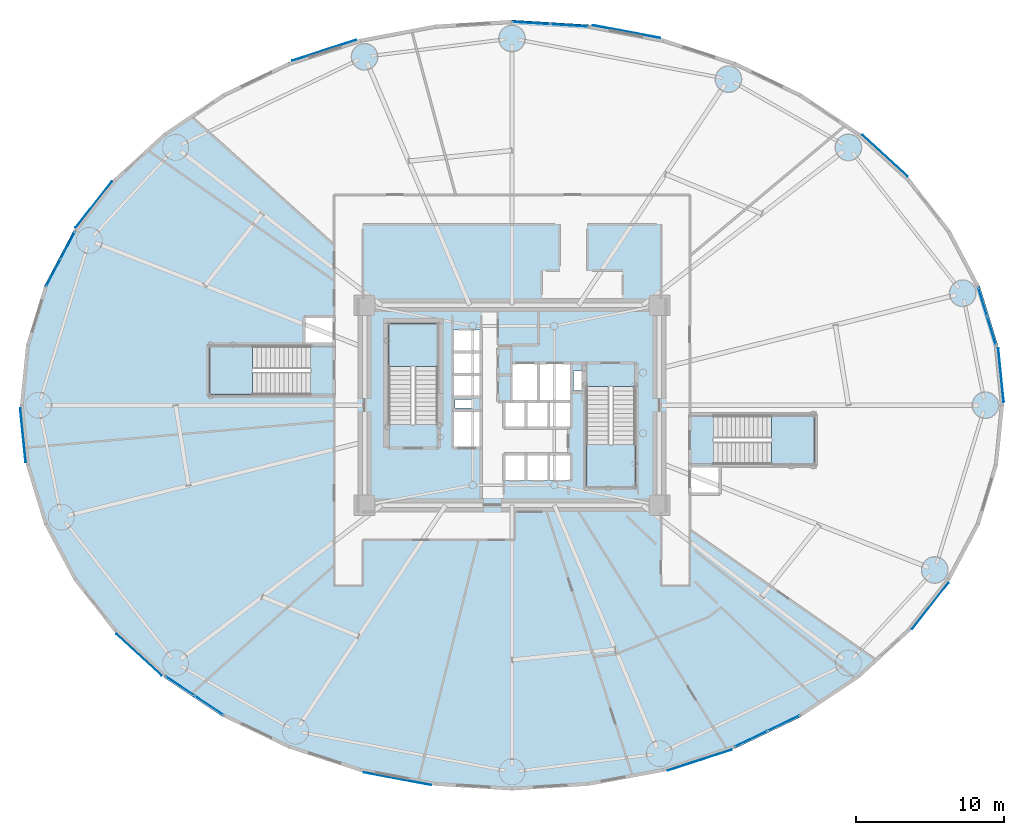
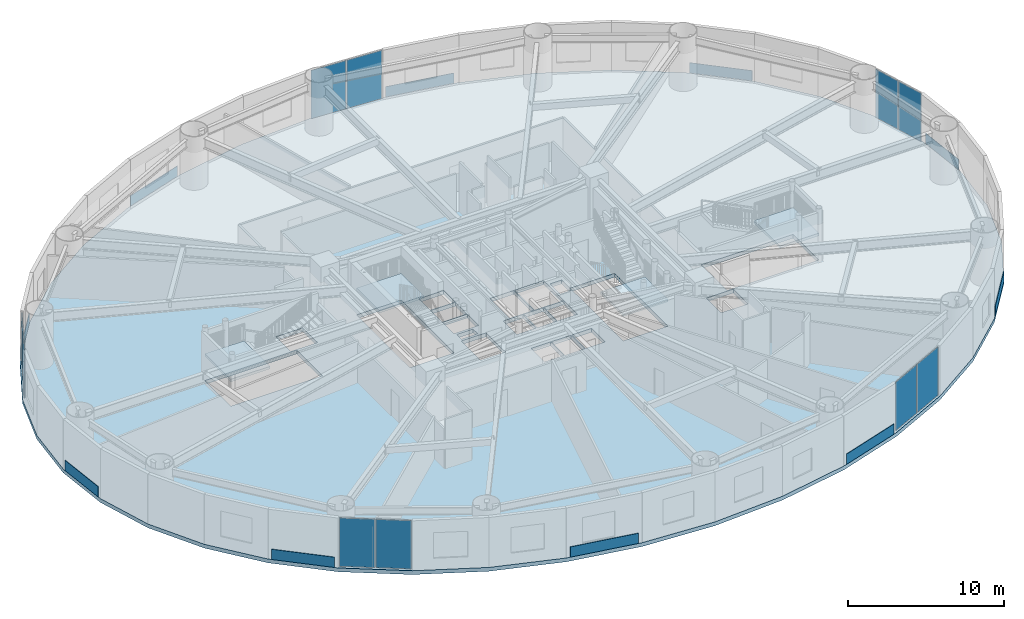
# One storey, part 12 of 31: 20 plates, 5 slabs, 9 elements without a shape of their own.
"""IFC4 building model written with IfcOpenShell, lengths in metres."""

import ifcopenshell
import ifcopenshell.guid

model = None  # the IFC model being written
_history = None  # IfcOwnerHistory: only IFC2X3 demands one
_inside = {}  # id of a spatial element -> (the spatial element, [elements in it])
_under = {}  # id of a project, library or spatial element -> (it, [spatial elements below it])
_declared = {}  # id of a project -> (the project, [libraries it declares])
_typed = {}  # id of a type object -> (the type object, [elements of that type])
_made_of = {}  # id of a material, layer set ... -> (it, [elements and type objects made of it])


def new_model(schema):
    """Start an empty IFC model of exactly this schema.

    Asked for "IFC4X3", IfcOpenShell would pick the latest addendum, in which some entities
    have other attributes; the version numbers below select the first issue.
    IFC2X3 requires an IfcOwnerHistory on every rooted entity: one is made here for all.
    """
    global model, _history
    if schema == "IFC4X3":
        model = ifcopenshell.file(schema_version=(4, 3, 0, 0))
    else:
        model = ifcopenshell.file(schema=schema)
    _inside.clear()
    _under.clear()
    _declared.clear()
    _typed.clear()
    _made_of.clear()
    _history = None
    if model.schema == "IFC2X3":
        org = make("IfcOrganization", Name="unknown")
        user = make(
            "IfcPersonAndOrganization",
            ThePerson=make("IfcPerson", FamilyName="unknown"),
            TheOrganization=org,
        )
        app = make(
            "IfcApplication",
            ApplicationDeveloper=org,
            Version="unknown",
            ApplicationFullName="unknown",
            ApplicationIdentifier="unknown",
        )
        _history = make(
            "IfcOwnerHistory",
            OwningUser=user,
            OwningApplication=app,
            ChangeAction="ADDED",
            CreationDate=0,
        )
    return model


def make(cls, **values):
    """One entity of the class cls with the attributes given. An attribute that is None is left unset."""
    return model.create_entity(
        cls, **{name: value for name, value in values.items() if value is not None}
    )


def rooted(cls, **values):
    """An entity with a GlobalId (a new one), such as an element, a storey or a relation."""
    return make(cls, GlobalId=ifcopenshell.guid.new(), OwnerHistory=_history, **values)


def si_unit(unit_type, name, prefix=None):
    """IfcSIUnit, for example si_unit("LENGTHUNIT", "METRE", prefix="MILLI")."""
    return make("IfcSIUnit", UnitType=unit_type, Prefix=prefix, Name=name)


def assignment(units):
    """IfcUnitAssignment: the units of a project."""
    return None if units is None else make("IfcUnitAssignment", Units=units)


def point(xyz):
    """IfcCartesianPoint."""
    return None if xyz is None else make("IfcCartesianPoint", Coordinates=xyz)


def direction(xyz):
    """IfcDirection."""
    return None if xyz is None else make("IfcDirection", DirectionRatios=xyz)


def frame(location, z_axis=None, x_axis=None):
    """IfcAxis2Placement3D, a coordinate frame: its origin and axes. An axis left out is left unset."""
    return make(
        "IfcAxis2Placement3D",
        Location=point(location),
        Axis=direction(z_axis),
        RefDirection=direction(x_axis),
    )


def frame_2d(location, x_axis=None):
    """IfcAxis2Placement2D, a coordinate frame in the plane: its origin and x axis."""
    return make(
        "IfcAxis2Placement2D", Location=point(location), RefDirection=direction(x_axis)
    )


def origin():
    """The frame at (0, 0, 0) with its axes left unset."""
    return frame((0.0, 0.0, 0.0))


def origin_2d():
    """The frame at (0, 0) in the plane with its x axis left unset."""
    return frame_2d((0.0, 0.0))


def place(relative_to, where):
    """IfcLocalPlacement: puts the frame where relative to a parent placement (None: the world)."""
    return make(
        "IfcLocalPlacement", PlacementRelTo=relative_to, RelativePlacement=where
    )


def context(
    kind, dimensions, precision=None, world=None, true_north=None, identifier=None
):
    """IfcGeometricRepresentationContext, for example the 3D "Model" context."""
    return make(
        "IfcGeometricRepresentationContext",
        ContextIdentifier=identifier,
        ContextType=kind,
        CoordinateSpaceDimension=dimensions,
        Precision=precision,
        WorldCoordinateSystem=world,
        TrueNorth=true_north,
    )


def subcontext(parent, identifier, kind, view, scale=None):
    """IfcGeometricRepresentationSubContext, for example "Body" below "Model"."""
    return make(
        "IfcGeometricRepresentationSubContext",
        ContextIdentifier=identifier,
        ContextType=kind,
        ParentContext=parent,
        TargetScale=scale,
        TargetView=view,
    )


def project(units=None, contexts=None):
    """IfcProject with its units and contexts."""
    return rooted(
        "IfcProject",
        Name="project",
        RepresentationContexts=contexts,
        UnitsInContext=assignment(units),
    )


def spatial(cls, under=None, at=None, **own):
    """A site, building, storey or space (cls), placed at a placement, below another one or the project."""
    s = rooted(cls, ObjectPlacement=at, **own)
    if under is not None:
        _under.setdefault(under.id(), (under, []))[1].append(s)
    return s


def polyline(points):
    """IfcPolyline through the points."""
    return make("IfcPolyline", Points=[point(p) for p in points])


def profile(cls, at=None, kind="AREA", **sizes):
    """A parametric profile (cls). Its sizes go by their IFC names, for example OverallWidth=200.0."""
    return make(cls, ProfileType=kind, Position=at, **sizes)


def rectangle(**sizes):
    """IfcRectangleProfileDef."""
    return profile("IfcRectangleProfileDef", **sizes)


def outline(outer, holes=None, kind="AREA"):
    """IfcArbitraryClosedProfileDef: a profile drawn as a closed curve; with holes, ...WithVoids."""
    if holes is None:
        return make("IfcArbitraryClosedProfileDef", ProfileType=kind, OuterCurve=outer)
    return make(
        "IfcArbitraryProfileDefWithVoids",
        ProfileType=kind,
        OuterCurve=outer,
        InnerCurves=holes,
    )


def extrude(swept, where, along, depth):
    """IfcExtrudedAreaSolid: the profile swept, set in the frame where, extruded along a direction by depth."""
    return make(
        "IfcExtrudedAreaSolid",
        SweptArea=swept,
        Position=where,
        ExtrudedDirection=direction(along),
        Depth=depth,
    )


def shape(context_of_items, identifier, shape_type, items):
    """IfcShapeRepresentation: the items that make up one representation, for example the "Body"."""
    return make(
        "IfcShapeRepresentation",
        ContextOfItems=context_of_items,
        RepresentationIdentifier=identifier,
        RepresentationType=shape_type,
        Items=items,
    )


def source(mapping_origin, context_of_items, identifier, shape_type, items):
    """IfcRepresentationMap: a shape defined once, which mapped items show again and again."""
    return make(
        "IfcRepresentationMap",
        MappingOrigin=mapping_origin,
        MappedRepresentation=shape(context_of_items, identifier, shape_type, items),
    )


def transform(
    local_origin,
    x_axis=None,
    y_axis=None,
    z_axis=None,
    scale=None,
    scale2=None,
    scale3=None,
    uniform=True,
):
    """IfcCartesianTransformationOperator3D, or its non-uniform kind. x_axis, y_axis, z_axis: its Axis1, 2, 3."""
    if uniform:
        return make(
            "IfcCartesianTransformationOperator3D",
            Axis1=direction(x_axis),
            Axis2=direction(y_axis),
            LocalOrigin=point(local_origin),
            Scale=scale,
            Axis3=direction(z_axis),
        )
    return make(
        "IfcCartesianTransformationOperator3DnonUniform",
        Axis1=direction(x_axis),
        Axis2=direction(y_axis),
        LocalOrigin=point(local_origin),
        Scale=scale,
        Axis3=direction(z_axis),
        Scale2=scale2,
        Scale3=scale3,
    )


def mapped(mapping_source, mapping_target):
    """IfcMappedItem: shows the shape of a source again, moved by a transform."""
    return make(
        "IfcMappedItem", MappingSource=mapping_source, MappingTarget=mapping_target
    )


def material(Name=None, Category=None):
    """IfcMaterial."""
    return make("IfcMaterial", Name=Name, Category=Category)


def layer(
    of_material, thickness, ventilated=None, Name=None, Category=None, Priority=None
):
    """IfcMaterialLayer: one layer of a wall or slab, of a material (None: an air gap)."""
    return make(
        "IfcMaterialLayer",
        Material=of_material,
        LayerThickness=thickness,
        IsVentilated=ventilated,
        Name=Name,
        Category=Category,
        Priority=Priority,
    )


def layer_set(layers, Name=None):
    """IfcMaterialLayerSet."""
    return make("IfcMaterialLayerSet", MaterialLayers=layers, LayerSetName=Name)


def made_of(thing, what):
    """Note that an element or type object is made of a material, layer set ...; save() writes the relation."""
    if what is not None:
        _made_of.setdefault(what.id(), (what, []))[1].append(thing)
    return thing


def type_object(cls, material=None, **own):
    """A type object (cls), such as IfcWallType, which elements share."""
    return made_of(rooted(cls, **own), material)


def element(
    cls,
    number,
    at=None,
    inside=None,
    cuts=None,
    type_object=None,
    material=None,
    context=None,
    identifier="Body",
    shape_type=None,
    held_by="IfcProductDefinitionShape",
    body=None,
    shapes=None,
    **own,
):
    """One element of the class cls, such as IfcWall. Its Tag is "e" and its number.

    at: its placement. inside: the storey or other place that contains it. cuts: it is an
    opening in that element (IfcRelVoidsElement). A single representation is given by context,
    identifier, shape_type and body (its items); several are given by shapes. held_by: the class
    of the entity that holds the representations. save() writes the other relations.
    """
    e = rooted(cls, Tag="e%d" % number, ObjectPlacement=at, **own)
    if body is not None:
        shapes = [shape(context, identifier, shape_type, body)]
    if shapes is not None:
        e.Representation = make(held_by, Representations=shapes)
    if inside is not None:
        _inside.setdefault(inside.id(), (inside, []))[1].append(e)
    if cuts is not None:
        rooted(
            "IfcRelVoidsElement", RelatingBuildingElement=cuts, RelatedOpeningElement=e
        )
    if type_object is not None:
        _typed.setdefault(type_object.id(), (type_object, []))[1].append(e)
    return made_of(e, material)


def aggregate(whole, parts):
    """IfcRelAggregates: a whole, such as a stair, and the parts it consists of."""
    return rooted("IfcRelAggregates", RelatingObject=whole, RelatedObjects=parts)


def save(model, path):
    """Write the relations noted so far, then the file.

    IfcRelAggregates (storeys below a building ...), IfcRelContainedInSpatialStructure (elements
    in a storey), IfcRelDefinesByType, IfcRelAssociatesMaterial and IfcRelDeclares: one each for
    every whole, place, type object, material and project.
    """
    for whole, parts in _under.values():
        aggregate(whole, parts)
    for where, things in _inside.values():
        rooted(
            "IfcRelContainedInSpatialStructure",
            RelatedElements=things,
            RelatingStructure=where,
        )
    for kind, things in _typed.values():
        rooted("IfcRelDefinesByType", RelatedObjects=things, RelatingType=kind)
    for what, things in _made_of.values():
        rooted("IfcRelAssociatesMaterial", RelatedObjects=things, RelatingMaterial=what)
    for by, libraries in _declared.values():
        rooted("IfcRelDeclares", RelatingContext=by, RelatedDefinitions=libraries)
    model.write(path)


model = new_model("IFC4")

# Units and contexts
model_context = context("Model", 3, precision=1e-05, world=origin(), true_north=direction((0.0, 1.0)))
body_context = subcontext(model_context, "Body", "Model", "MODEL_VIEW")
ifc_project = project(units=[si_unit("LENGTHUNIT", "METRE"), si_unit("AREAUNIT", "SQUARE_METRE"), si_unit("VOLUMEUNIT", "CUBIC_METRE"), si_unit("PLANEANGLEUNIT", "RADIAN"), si_unit("MASSUNIT", "GRAM", prefix="KILO")], contexts=[model_context])

# Site, building, storey
site_placement = place(None, origin())
site = spatial("IfcSite", under=ifc_project, at=site_placement, CompositionType="ELEMENT")
building_placement = place(site_placement, origin())
building = spatial("IfcBuilding", under=site, at=building_placement, Name="Linh Dai School and Residence Tower", CompositionType="ELEMENT")
storey_placement = place(building_placement, frame((0.0, 0.0, 6.0)))
storey = spatial("IfcBuildingStorey", under=building, at=storey_placement, Name="L01", CompositionType="ELEMENT", Elevation=6.0)

# Slab
ifc_material_1 = material(Name="Concrete B45 (C35/45)", Category="concrete")
ifc_layer_1 = layer(ifc_material_1, 0.300048828125)
ifc_layer_set_1 = layer_set([ifc_layer_1], Name="Concrete B45 (C35/45)")
slab_type_1 = type_object("IfcSlabType", Name="SLB-FLR300", PredefinedType="FLOOR", material=ifc_layer_set_1)
slab_1_placement = place(storey_placement, frame((0.0, 0.0, -0.300048828125)))
element("IfcSlab", 1, at=slab_1_placement, inside=storey, type_object=slab_type_1, Name="L01 Composite Structural Floor Slab", PredefinedType="FLOOR", context=body_context, shape_type="SweptSolid", body=[
    extrude(outline(polyline([(69.199951171875, 27.0), (68.791259765625, 31.0673828125), (67.5751953125, 35.034423828125), (65.581298828125, 38.8037109375), (62.859375, 42.282470703125), (59.475830078125, 45.384765625), (55.514404296875, 48.034423828125), (51.072509765625, 50.166259765625), (46.25927734375, 51.7275390625), (41.193603515625, 52.679931640625), (36.0, 53.0), (30.806396484375, 52.679931640625), (25.74072265625, 51.7275390625), (20.927490234375, 50.166259765625), (16.485595703125, 48.034423828125), (12.524169921875, 45.384765625), (9.140625, 42.282470703125), (6.418701171875, 38.8037109375), (4.4248046875, 35.034423828125), (3.208740234375, 31.0673828125), (2.800048828125, 27.0), (3.208740234375, 22.9326171875), (4.4248046875, 18.965576171875), (6.418701171875, 15.1962890625), (9.140625, 11.717529296875), (12.524169921875, 8.615234375), (16.485595703125, 5.965576171875), (20.927490234375, 3.833740234375), (25.74072265625, 2.2724609375), (30.806396484375, 1.320068359375), (36.0, 1.0), (41.193603515625, 1.320068359375), (46.25927734375, 2.2724609375), (51.072509765625, 3.833740234375), (55.514404296875, 5.965576171875), (59.475830078125, 8.615234375), (62.859375, 11.717529296875), (65.581298828125, 15.1962890625), (67.5751953125, 18.965576171875), (68.791259765625, 22.9326171875), (69.199951171875, 27.0)]), holes=[polyline([(30.97998046875, 25.699951171875), (30.97998046875, 32.5), (27.679931640625, 32.5), (27.679931640625, 25.699951171875), (30.97998046875, 25.699951171875)]), polyline([(41.02001953125, 28.25), (41.02001953125, 21.449951171875), (44.320068359375, 21.449951171875), (44.320068359375, 28.25), (41.02001953125, 28.25)]), polyline([(22.39990234375, 31.0), (15.60009765625, 31.0), (15.60009765625, 27.699951171875), (22.39990234375, 27.699951171875), (22.39990234375, 31.0)]), polyline([(49.60009765625, 23.0), (56.39990234375, 23.0), (56.39990234375, 26.300048828125), (49.60009765625, 26.300048828125), (49.60009765625, 23.0)]), polyline([(35.97998046875, 27.280029296875), (37.77001953125, 27.280029296875), (37.77001953125, 29.820068359375), (35.97998046875, 29.820068359375), (35.97998046875, 27.280029296875)]), polyline([(32.030029296875, 24.1298828125), (33.8701171875, 24.1298828125), (33.8701171875, 26.6201171875), (32.030029296875, 26.6201171875), (32.030029296875, 24.1298828125)]), polyline([(37.830078125, 27.280029296875), (39.969970703125, 27.280029296875), (39.969970703125, 29.820068359375), (37.830078125, 29.820068359375), (37.830078125, 27.280029296875)]), polyline([(35.47998046875, 21.929931640625), (36.929931640625, 21.929931640625), (36.929931640625, 23.669921875), (35.47998046875, 23.669921875), (35.47998046875, 21.929931640625)]), polyline([(36.989990234375, 21.929931640625), (38.449951171875, 21.929931640625), (38.449951171875, 23.669921875), (36.989990234375, 23.669921875), (36.989990234375, 21.929931640625)]), polyline([(38.510009765625, 21.929931640625), (39.969970703125, 21.929931640625), (39.969970703125, 23.669921875), (38.510009765625, 23.669921875), (38.510009765625, 21.929931640625)]), polyline([(32.030029296875, 27.580078125), (33.8701171875, 27.580078125), (33.8701171875, 29.030029296875), (32.030029296875, 29.030029296875), (32.030029296875, 27.580078125)]), polyline([(32.030029296875, 29.090087890625), (33.8701171875, 29.090087890625), (33.8701171875, 30.550048828125), (32.030029296875, 30.550048828125), (32.030029296875, 29.090087890625)]), polyline([(32.030029296875, 30.610107421875), (33.8701171875, 30.610107421875), (33.8701171875, 32.070068359375), (32.030029296875, 32.070068359375), (32.030029296875, 30.610107421875)]), polyline([(35.47998046875, 25.47998046875), (36.929931640625, 25.47998046875), (36.929931640625, 27.219970703125), (35.47998046875, 27.219970703125), (35.47998046875, 25.47998046875)]), polyline([(36.989990234375, 25.47998046875), (38.449951171875, 25.47998046875), (38.449951171875, 27.219970703125), (36.989990234375, 27.219970703125), (36.989990234375, 25.47998046875)]), polyline([(38.510009765625, 25.47998046875), (39.969970703125, 25.47998046875), (39.969970703125, 27.219970703125), (38.510009765625, 27.219970703125), (38.510009765625, 25.47998046875)]), polyline([(21.97998046875, 31.080078125), (23.969970703125, 31.080078125), (23.969970703125, 32.969970703125), (21.97998046875, 32.969970703125), (21.97998046875, 31.080078125)]), polyline([(48.030029296875, 21.030029296875), (50.02001953125, 21.030029296875), (50.02001953125, 22.919921875), (48.030029296875, 22.919921875), (48.030029296875, 21.030029296875)]), polyline([(40.14990234375, 28.0), (40.14990234375, 29.300048828125), (41.0, 29.300048828125), (41.0, 28.280029296875), (40.989990234375, 28.280029296875), (40.989990234375, 28.0), (40.14990234375, 28.0)]), polyline([(32.14990234375, 26.800048828125), (33.35009765625, 26.800048828125), (33.35009765625, 27.39990234375), (32.14990234375, 27.39990234375), (32.14990234375, 26.800048828125)])]), origin(), (0.0, 0.0, 1.0), 0.300048828125),
])

# Stair, slab
stair_type = type_object("IfcStairType", Name="ST-DOG-1550-R1500", PredefinedType="HALF_TURN_STAIR", material=ifc_material_1)
stair_1_placement = place(storey_placement, origin())
stair_1 = element("IfcStair", 2, at=stair_1_placement, inside=storey, type_object=stair_type, Name="L01 Core Smokeproof Exit Stair ST1", PredefinedType="HALF_TURN_STAIR")
ifc_layer_2 = layer(ifc_material_1, 0.199951171875)
ifc_layer_set_2 = layer_set([ifc_layer_2], Name="Concrete B45 (C35/45)")
slab_type_2 = type_object("IfcSlabType", Name="SLB-ST-LANDING-200", PredefinedType="LANDING", material=ifc_layer_set_2)
slab_2_placement = place(storey_placement, frame((0.0, 0.0, 1.89990234375)))
slab_2 = element("IfcSlab", 3, at=slab_2_placement, type_object=slab_type_2, Name="ST1 landing 1", PredefinedType="LANDING", context=body_context, shape_type="SweptSolid", body=[
    extrude(outline(polyline([(30.97998046875, 29.60009765625), (30.97998046875, 32.5), (27.679931640625, 32.5), (27.679931640625, 29.60009765625), (30.97998046875, 29.60009765625)])), origin(), (0.0, 0.0, 1.0), 0.2001953125),
])
aggregate(stair_1, [slab_2])

stair_2_placement = place(storey_placement, origin())
stair_2 = element("IfcStair", 4, at=stair_2_placement, inside=storey, type_object=stair_type, Name="L01 Core Smokeproof Exit Stair ST2", PredefinedType="HALF_TURN_STAIR")
slab_3_placement = place(storey_placement, frame((0.0, 0.0, 1.89990234375)))
slab_3 = element("IfcSlab", 5, at=slab_3_placement, type_object=slab_type_2, Name="ST2 landing 1", PredefinedType="LANDING", context=body_context, shape_type="SweptSolid", body=[
    extrude(outline(polyline([(41.02001953125, 24.35009765625), (41.02001953125, 21.449951171875), (44.320068359375, 21.449951171875), (44.320068359375, 24.35009765625), (41.02001953125, 24.35009765625)])), origin(), (0.0, 0.0, 1.0), 0.2001953125),
])
aggregate(stair_2, [slab_3])

stair_3_placement = place(storey_placement, origin())
stair_3 = element("IfcStair", 6, at=stair_3_placement, inside=storey, type_object=stair_type, Name="L01 School Exit Stair STS1", PredefinedType="HALF_TURN_STAIR")
slab_4_placement = place(storey_placement, frame((0.0, 0.0, 1.89990234375)))
slab_4 = element("IfcSlab", 7, at=slab_4_placement, type_object=slab_type_2, Name="STS1 landing 1", PredefinedType="LANDING", context=body_context, shape_type="SweptSolid", body=[
    extrude(outline(polyline([(18.5, 31.0), (15.60009765625, 31.0), (15.60009765625, 27.699951171875), (18.5, 27.699951171875), (18.5, 31.0)])), origin(), (0.0, 0.0, 1.0), 0.2001953125),
])
aggregate(stair_3, [slab_4])

stair_4_placement = place(storey_placement, origin())
stair_4 = element("IfcStair", 8, at=stair_4_placement, inside=storey, type_object=stair_type, Name="L01 School Exit Stair STS2", PredefinedType="HALF_TURN_STAIR")
slab_5_placement = place(storey_placement, frame((0.0, 0.0, 1.89990234375)))
slab_5 = element("IfcSlab", 9, at=slab_5_placement, type_object=slab_type_2, Name="STS2 landing 1", PredefinedType="LANDING", context=body_context, shape_type="SweptSolid", body=[
    extrude(outline(polyline([(53.5, 23.0), (56.39990234375, 23.0), (56.39990234375, 26.300048828125), (53.5, 26.300048828125), (53.5, 23.0)])), origin(), (0.0, 0.0, 1.0), 0.2001953125),
])
aggregate(stair_4, [slab_5])

# Plates
ifc_material_2 = material(Name="Terracotta Rainscreen Cladding", Category="masonry")
ifc_layer_3 = layer(ifc_material_2, 0.0400390625)
ifc_layer_set_3 = layer_set([ifc_layer_3], Name="Terracotta Rainscreen Cladding")
plate_type_1 = type_object("IfcPlateType", Name="PLT-TC-SPANDREL", PredefinedType="SHEET", material=ifc_layer_set_3)
shared_shape_1 = source(origin(), body_context, "Body", "SweptSolid", [
    extrude(rectangle(XDim=3.656494140625, YDim=0.0400390625, at=origin_2d()), origin(), (0.0, 0.0, 1.0), 0.800048828125),
])
for number, where, z_axis, x_axis, name in (
    (10, (69.006103515625, 29.03466796875, 0.02001953125), (0.0, 0.0, 1.0), (0.099995480682, -0.994987891305, 0.0), "L01 Terracotta Spandrel Sheet 01"),
    (11, (2.993896484375, 24.96533203125, 0.02001953125), (0.0, 0.0, 1.0), (-0.099995480682, 0.994987891305, 0.0), "L01 Terracotta Spandrel Sheet 21"),
):
    element("IfcPlate", number, at=place(storey_placement, frame(where, z_axis=z_axis, x_axis=x_axis)), inside=storey, type_object=plate_type_1, Name=name, PredefinedType="SHEET", context=body_context, shape_type="MappedRepresentation", body=[
        mapped(shared_shape_1, transform((0.0, 0.0, 0.0), x_axis=(1.0, 0.0, 0.0), y_axis=(0.0, 1.0, 0.0), z_axis=(0.0, 0.0, 1.0), scale=1.0)),
    ])

# Curtain wall, plates
ifc_material_3 = material(Name="Aluminium Anodised Curtain Wall", Category="aluminium")
ifc_layer_4 = layer(ifc_material_3, 0.169921875)
ifc_layer_set_4 = layer_set([ifc_layer_4], Name="Aluminium Anodised Curtain Wall")
curtain_wall_type = type_object("IfcCurtainWallType", Name="CW-SYS-2", PredefinedType="USERDEFINED", material=ifc_layer_set_4)
curtain_wall_1_placement = place(storey_placement, origin())
curtain_wall_1 = element("IfcCurtainWall", 12, at=curtain_wall_1_placement, inside=storey, type_object=curtain_wall_type, Name="L01 CW2 Curtain Wall 02", ObjectType="UNITISED CURTAIN WALL", PredefinedType="USERDEFINED")
ifc_material_4 = material(Name="Double Low-E Insulated Glazing", Category="glass")
ifc_layer_5 = layer(ifc_material_4, 0.030029296875)
ifc_layer_set_5 = layer_set([ifc_layer_5], Name="Double Low-E Insulated Glazing")
plate_type_2 = type_object("IfcPlateType", Name="CW-SYS-2-PAN", PredefinedType="CURTAIN_PANEL", material=ifc_layer_set_5)
shared_shape_2 = source(origin(), body_context, "Body", "SweptSolid", [
    extrude(rectangle(XDim=1.97265625, YDim=0.030029296875, at=origin_2d()), origin(), (0.0, 0.0, 1.0), 3.780029296875),
])
plate_1_placement = place(storey_placement, frame((67.766357421875, 33.986083984375, 0.06005859375), z_axis=(0.0, 0.0, 1.0), x_axis=(0.293103659962, -0.956080668415, 0.0)))
plate_1 = element("IfcPlate", 13, at=plate_1_placement, type_object=plate_type_2, Name="CW2 panel 1.1", PredefinedType="CURTAIN_PANEL", context=body_context, shape_type="MappedRepresentation", body=[
    mapped(shared_shape_2, transform((0.0, 0.0, 0.0), x_axis=(1.0, 0.0, 0.0), y_axis=(0.0, 1.0, 0.0), z_axis=(0.0, 0.0, 1.0), scale=1.0)),
])
plate_2_placement = place(storey_placement, frame((68.362060546875, 32.04296875, 0.06005859375), z_axis=(0.0, 0.0, 1.0), x_axis=(0.293103659962, -0.956080668415, 0.0)))
plate_2 = element("IfcPlate", 14, at=plate_2_placement, type_object=plate_type_2, Name="CW2 panel 2.1", PredefinedType="CURTAIN_PANEL", context=body_context, shape_type="MappedRepresentation", body=[
    mapped(shared_shape_2, transform((0.0, 0.0, 0.0), x_axis=(1.0, 0.0, 0.0), y_axis=(0.0, 1.0, 0.0), z_axis=(0.0, 0.0, 1.0), scale=1.0)),
])
aggregate(curtain_wall_1, [plate_1, plate_2])

# Plates
shared_shape_3 = source(origin(), body_context, "Body", "SweptSolid", [
    extrude(rectangle(XDim=4.113525390625, YDim=0.0400390625, at=origin_2d()), origin(), (0.0, 0.0, 1.0), 0.800048828125),
])
for number, where, z_axis, x_axis, name in (
    (15, (61.174560546875, 43.84130859375, 0.02001953125), (0.0, 0.0, 1.0), (0.737062771311, -0.675824290143, 0.0), "L01 Terracotta Spandrel Sheet 05"),
    (16, (10.825439453125, 10.15869140625, 0.02001953125), (0.0, 0.0, 1.0), (-0.737061772031, 0.675825379969, 0.0), "L01 Terracotta Spandrel Sheet 25"),
):
    element("IfcPlate", number, at=place(storey_placement, frame(where, z_axis=z_axis, x_axis=x_axis)), inside=storey, type_object=plate_type_1, Name=name, PredefinedType="SHEET", context=body_context, shape_type="MappedRepresentation", body=[
        mapped(shared_shape_3, transform((0.0, 0.0, 0.0), x_axis=(1.0, 0.0, 0.0), y_axis=(0.0, 1.0, 0.0), z_axis=(0.0, 0.0, 1.0), scale=1.0)),
    ])
shared_shape_4 = source(origin(), body_context, "Body", "SweptSolid", [
    extrude(rectangle(XDim=4.625, YDim=0.0400390625, at=origin_2d()), origin(), (0.0, 0.0, 1.0), 0.800048828125),
])
for number, where, z_axis, x_axis, name in (
    (17, (43.728271484375, 52.2138671875, 0.02001953125), (0.0, 0.0, 1.0), (0.982780818112, -0.184775170275, 0.0), "L01 Terracotta Spandrel Sheet 09"),
    (18, (28.271728515625, 1.7861328125, 0.02001953125), (0.0, 0.0, 1.0), (-0.982780818112, 0.184775170275, 0.0), "L01 Terracotta Spandrel Sheet 29"),
):
    element("IfcPlate", number, at=place(storey_placement, frame(where, z_axis=z_axis, x_axis=x_axis)), inside=storey, type_object=plate_type_1, Name=name, PredefinedType="SHEET", context=body_context, shape_type="MappedRepresentation", body=[
        mapped(shared_shape_4, transform((0.0, 0.0, 0.0), x_axis=(1.0, 0.0, 0.0), y_axis=(0.0, 1.0, 0.0), z_axis=(0.0, 0.0, 1.0), scale=1.0)),
    ])

# Curtain wall, plates
curtain_wall_2_placement = place(storey_placement, origin())
curtain_wall_2 = element("IfcCurtainWall", 19, at=curtain_wall_2_placement, inside=storey, type_object=curtain_wall_type, Name="L01 CW2 Curtain Wall 10", ObjectType="UNITISED CURTAIN WALL", PredefinedType="USERDEFINED")
shared_shape_5 = source(origin(), body_context, "Body", "SweptSolid", [
    extrude(rectangle(XDim=2.504150390625, YDim=0.030029296875, at=origin_2d()), origin(), (0.0, 0.0, 1.0), 3.780029296875),
])
plate_3_placement = place(storey_placement, frame((37.3095703125, 52.794189453125, 0.06005859375), z_axis=(0.0, 0.0, 1.0), x_axis=(0.998106086185, -0.061516182598, 0.0)))
plate_3 = element("IfcPlate", 20, at=plate_3_placement, type_object=plate_type_2, Name="CW2 panel 1.1", PredefinedType="CURTAIN_PANEL", context=body_context, shape_type="MappedRepresentation", body=[
    mapped(shared_shape_5, transform((0.0, 0.0, 0.0), x_axis=(1.0, 0.0, 0.0), y_axis=(0.0, 1.0, 0.0), z_axis=(0.0, 0.0, 1.0), scale=1.0)),
])
plate_4_placement = place(storey_placement, frame((39.86865234375, 52.636474609375, 0.06005859375), z_axis=(0.0, 0.0, 1.0), x_axis=(0.998106086185, -0.061516182598, 0.0)))
plate_4 = element("IfcPlate", 21, at=plate_4_placement, type_object=plate_type_2, Name="CW2 panel 2.1", PredefinedType="CURTAIN_PANEL", context=body_context, shape_type="MappedRepresentation", body=[
    mapped(shared_shape_5, transform((0.0, 0.0, 0.0), x_axis=(1.0, 0.0, 0.0), y_axis=(0.0, 1.0, 0.0), z_axis=(0.0, 0.0, 1.0), scale=1.0)),
])
aggregate(curtain_wall_2, [plate_3, plate_4])

# Plates
shared_shape_6 = source(origin(), body_context, "Body", "SweptSolid", [
    extrude(rectangle(XDim=4.539306640625, YDim=0.0400390625, at=origin_2d()), origin(), (0.0, 0.0, 1.0), 0.800048828125),
])
for number, where, z_axis, x_axis, name in (
    (22, (23.3310546875, 50.95654296875, 0.02001953125), (0.0, 0.0, 1.0), (0.951206809592, 0.308554055858, 0.0), "L01 Terracotta Spandrel Sheet 13"),
    (23, (48.6689453125, 3.04345703125, 0.02001953125), (0.0, 0.0, 1.0), (-0.951206809592, -0.308554055858, 0.0), "L01 Terracotta Spandrel Sheet 33"),
):
    element("IfcPlate", number, at=place(storey_placement, frame(where, z_axis=z_axis, x_axis=x_axis)), inside=storey, type_object=plate_type_1, Name=name, PredefinedType="SHEET", context=body_context, shape_type="MappedRepresentation", body=[
        mapped(shared_shape_6, transform((0.0, 0.0, 0.0), x_axis=(1.0, 0.0, 0.0), y_axis=(0.0, 1.0, 0.0), z_axis=(0.0, 0.0, 1.0), scale=1.0)),
    ])
shared_shape_7 = source(origin(), body_context, "Body", "SweptSolid", [
    extrude(rectangle(XDim=3.956298828125, YDim=0.0400390625, at=origin_2d()), origin(), (0.0, 0.0, 1.0), 0.800048828125),
])
for number, where, z_axis, x_axis, name in (
    (24, (7.771484375, 40.5498046875, 0.02001953125), (0.0, 0.0, 1.0), (0.616260230785, 0.787542588025, 0.0), "L01 Terracotta Spandrel Sheet 17"),
    (25, (64.228515625, 13.4501953125, 0.02001953125), (0.0, 0.0, 1.0), (-0.616260230785, -0.787542588025, 0.0), "L01 Terracotta Spandrel Sheet 37"),
):
    element("IfcPlate", number, at=place(storey_placement, frame(where, z_axis=z_axis, x_axis=x_axis)), inside=storey, type_object=plate_type_1, Name=name, PredefinedType="SHEET", context=body_context, shape_type="MappedRepresentation", body=[
        mapped(shared_shape_7, transform((0.0, 0.0, 0.0), x_axis=(1.0, 0.0, 0.0), y_axis=(0.0, 1.0, 0.0), z_axis=(0.0, 0.0, 1.0), scale=1.0)),
    ])

# Curtain wall, plates
curtain_wall_3_placement = place(storey_placement, origin())
curtain_wall_3 = element("IfcCurtainWall", 26, at=curtain_wall_3_placement, inside=storey, type_object=curtain_wall_type, Name="L01 CW2 Curtain Wall 18", ObjectType="UNITISED CURTAIN WALL", PredefinedType="USERDEFINED")
shared_shape_8 = source(origin(), body_context, "Body", "SweptSolid", [
    extrude(rectangle(XDim=2.030517578125, YDim=0.030029296875, at=origin_2d()), origin(), (0.0, 0.0, 1.0), 3.780029296875),
])
plate_5_placement = place(storey_placement, frame((5.043212890625, 35.93701171875, 0.06005859375), z_axis=(0.0, 0.0, 1.0), x_axis=(0.467555104298, 0.883963927118, 0.0)))
plate_5 = element("IfcPlate", 27, at=plate_5_placement, type_object=plate_type_2, Name="CW2 panel 1.1", PredefinedType="CURTAIN_PANEL", context=body_context, shape_type="MappedRepresentation", body=[
    mapped(shared_shape_8, transform((0.0, 0.0, 0.0), x_axis=(1.0, 0.0, 0.0), y_axis=(0.0, 1.0, 0.0), z_axis=(0.0, 0.0, 1.0), scale=1.0)),
])
plate_6_placement = place(storey_placement, frame((6.0205078125, 37.78515625, 0.06005859375), z_axis=(0.0, 0.0, 1.0), x_axis=(0.467555104298, 0.883963927118, 0.0)))
plate_6 = element("IfcPlate", 28, at=plate_6_placement, type_object=plate_type_2, Name="CW2 panel 2.1", PredefinedType="CURTAIN_PANEL", context=body_context, shape_type="MappedRepresentation", body=[
    mapped(shared_shape_8, transform((0.0, 0.0, 0.0), x_axis=(1.0, 0.0, 0.0), y_axis=(0.0, 1.0, 0.0), z_axis=(0.0, 0.0, 1.0), scale=1.0)),
])
aggregate(curtain_wall_3, [plate_5, plate_6])

curtain_wall_4_placement = place(storey_placement, origin())
curtain_wall_4 = element("IfcCurtainWall", 29, at=curtain_wall_4_placement, inside=storey, type_object=curtain_wall_type, Name="L01 CW2 Curtain Wall 26", ObjectType="UNITISED CURTAIN WALL", PredefinedType="USERDEFINED")
shared_shape_9 = source(origin(), body_context, "Body", "SweptSolid", [
    extrude(rectangle(XDim=2.28369140625, YDim=0.030029296875, at=origin_2d()), origin(), (0.0, 0.0, 1.0), 3.780029296875),
])
plate_7_placement = place(storey_placement, frame((15.54833984375, 6.742431640625, 0.06005859375), z_axis=(0.0, 0.0, 1.0), x_axis=(-0.831211344437, 0.555956563843, 0.0)))
plate_7 = element("IfcPlate", 30, at=plate_7_placement, type_object=plate_type_2, Name="CW2 panel 1.1", PredefinedType="CURTAIN_PANEL", context=body_context, shape_type="MappedRepresentation", body=[
    mapped(shared_shape_9, transform((0.0, 0.0, 0.0), x_axis=(1.0, 0.0, 0.0), y_axis=(0.0, 1.0, 0.0), z_axis=(0.0, 0.0, 1.0), scale=1.0)),
])
plate_8_placement = place(storey_placement, frame((13.60009765625, 8.04541015625, 0.06005859375), z_axis=(0.0, 0.0, 1.0), x_axis=(-0.831211344437, 0.555956563843, 0.0)))
plate_8 = element("IfcPlate", 31, at=plate_8_placement, type_object=plate_type_2, Name="CW2 panel 2.1", PredefinedType="CURTAIN_PANEL", context=body_context, shape_type="MappedRepresentation", body=[
    mapped(shared_shape_9, transform((0.0, 0.0, 0.0), x_axis=(1.0, 0.0, 0.0), y_axis=(0.0, 1.0, 0.0), z_axis=(0.0, 0.0, 1.0), scale=1.0)),
])
aggregate(curtain_wall_4, [plate_7, plate_8])

curtain_wall_5_placement = place(storey_placement, origin())
curtain_wall_5 = element("IfcCurtainWall", 32, at=curtain_wall_5_placement, inside=storey, type_object=curtain_wall_type, Name="L01 CW2 Curtain Wall 34", ObjectType="UNITISED CURTAIN WALL", PredefinedType="USERDEFINED")
shared_shape_10 = source(origin(), body_context, "Body", "SweptSolid", [
    extrude(rectangle(XDim=2.364990234375, YDim=0.030029296875, at=origin_2d()), origin(), (0.0, 0.0, 1.0), 3.780029296875),
])
plate_9_placement = place(storey_placement, frame((54.33251953125, 5.53662109375, 0.06005859375), z_axis=(0.0, 0.0, 1.0), x_axis=(-0.901558428479, -0.432657370259, 0.0)))
plate_9 = element("IfcPlate", 33, at=plate_9_placement, type_object=plate_type_2, Name="CW2 panel 1.1", PredefinedType="CURTAIN_PANEL", context=body_context, shape_type="MappedRepresentation", body=[
    mapped(shared_shape_10, transform((0.0, 0.0, 0.0), x_axis=(1.0, 0.0, 0.0), y_axis=(0.0, 1.0, 0.0), z_axis=(0.0, 0.0, 1.0), scale=1.0)),
])
plate_10_placement = place(storey_placement, frame((52.146240234375, 4.487548828125, 0.06005859375), z_axis=(0.0, 0.0, 1.0), x_axis=(-0.901558428479, -0.432657370259, 0.0)))
plate_10 = element("IfcPlate", 34, at=plate_10_placement, type_object=plate_type_2, Name="CW2 panel 2.1", PredefinedType="CURTAIN_PANEL", context=body_context, shape_type="MappedRepresentation", body=[
    mapped(shared_shape_10, transform((0.0, 0.0, 0.0), x_axis=(1.0, 0.0, 0.0), y_axis=(0.0, 1.0, 0.0), z_axis=(0.0, 0.0, 1.0), scale=1.0)),
])
aggregate(curtain_wall_5, [plate_9, plate_10])

save(model, "model.ifc")
